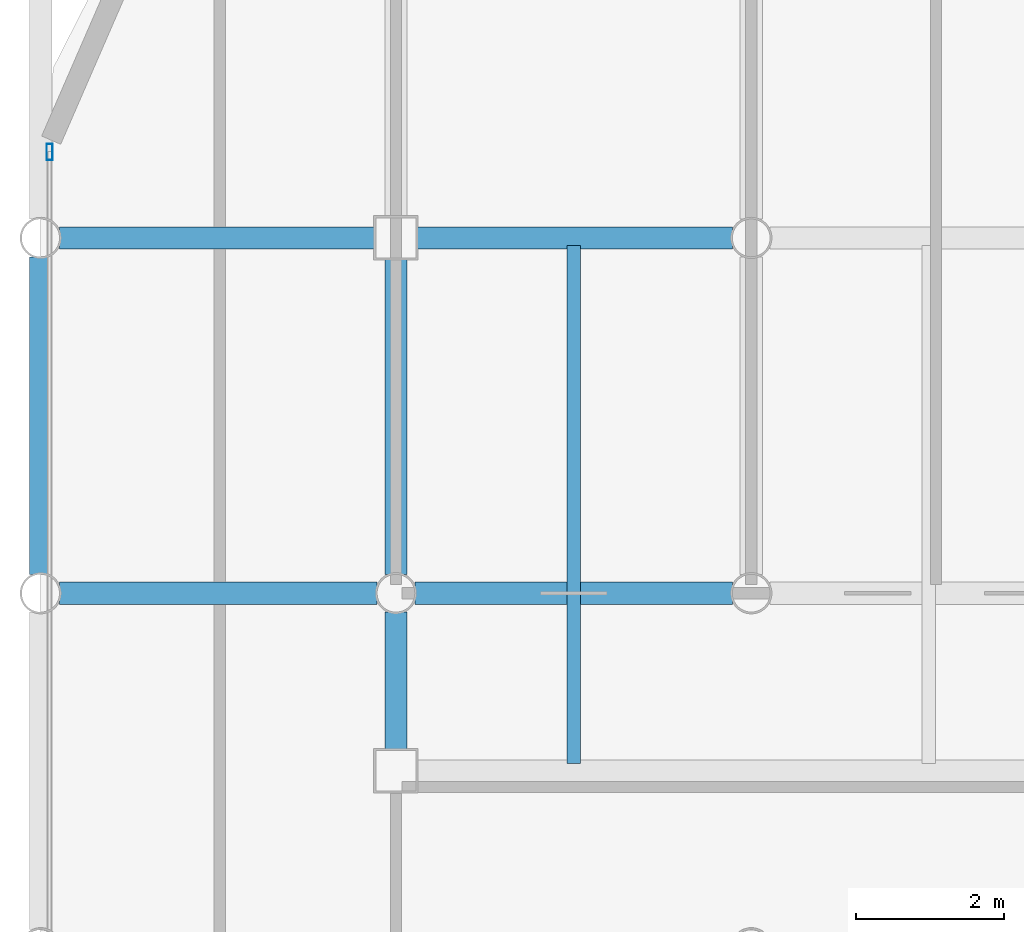
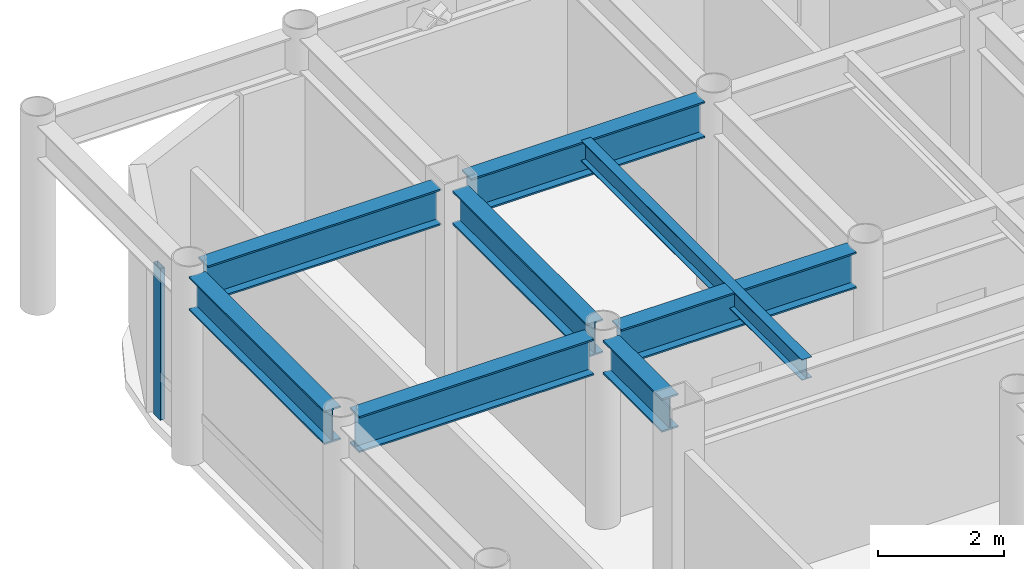
# One storey, part 11 of 23: 8 beams, 1 member, 1 element without a shape of its own.
"""IFC4 building model written with IfcOpenShell, lengths in metres."""

from ifc_helpers import new_model, si_unit, direction, frame, origin, origin_2d, place, context, subcontext, project, spatial, hollow_rectangle, i_section, extrude, material, layer, layer_set, material_profile, profile_set, type_object, element, aggregate, save


model = new_model("IFC4")

# Units and contexts
model_context = context("Model", 3, precision=1e-05, world=origin(), true_north=direction((0.0, 1.0)))
body_context = subcontext(model_context, "Body", "Model", "MODEL_VIEW")
ifc_project = project(units=[si_unit("LENGTHUNIT", "METRE"), si_unit("AREAUNIT", "SQUARE_METRE"), si_unit("VOLUMEUNIT", "CUBIC_METRE"), si_unit("PLANEANGLEUNIT", "RADIAN"), si_unit("MASSUNIT", "GRAM", prefix="KILO")], contexts=[model_context])

# Site, building, storey
site_placement = place(None, origin())
site = spatial("IfcSite", under=ifc_project, at=site_placement, CompositionType="ELEMENT")
building_placement = place(site_placement, origin())
building = spatial("IfcBuilding", under=site, at=building_placement, Name="Kallvorn Hotel Tower", CompositionType="ELEMENT")
storey_placement = place(building_placement, frame((0.0, 0.0, 195.35009765625)))
storey = spatial("IfcBuildingStorey", under=building, at=storey_placement, Name="L48", CompositionType="ELEMENT", Elevation=195.35009765625)

# Beams
ifc_material_1 = material(Name="Structural steel S355JR", Category="steel")
ifc_material_profile_1 = material_profile(ifc_material_1, i_section(OverallWidth=0.300048828125, OverallDepth=0.64990234375, WebThickness=0.01611328125, FlangeThickness=0.031005859375, at=origin_2d()), Name="HE 650 B")
ifc_profile_set_1 = profile_set([ifc_material_profile_1], Name="Structural steel S355JR")
beam_type_1 = type_object("IfcBeamType", Name="BM_HE650B", PredefinedType="BEAM", material=ifc_profile_set_1)
beam_1_placement = place(storey_placement, frame((-28.800048828125, 9.8544921875, 3.344970703125), z_axis=(0.0, 1.0, 0.0), x_axis=(-1.0, 0.0, 0.0)))
element("IfcBeam", 1, at=beam_1_placement, inside=storey, type_object=beam_type_1, Name="L49 Primary Y-Girder 79", PredefinedType="BEAM", context=body_context, shape_type="SweptSolid", body=[
    extrude(i_section(OverallWidth=0.300048828125, OverallDepth=0.64990234375, WebThickness=0.01611328125, FlangeThickness=0.031005859375, at=origin_2d()), origin(), (0.0, 0.0, 1.0), 4.291015625),
])
beam_2_placement = place(storey_placement, frame((-24.0, 7.47509765625, 3.344970703125), z_axis=(0.0, 1.0, 0.0), x_axis=(-1.0, 0.0, 0.0)))
element("IfcBeam", 2, at=beam_2_placement, inside=storey, type_object=beam_type_1, Name="L49 Primary Y-Girder 85", PredefinedType="BEAM", context=body_context, shape_type="SweptSolid", body=[
    extrude(i_section(OverallWidth=0.300048828125, OverallDepth=0.64990234375, WebThickness=0.01611328125, FlangeThickness=0.031005859375, at=origin_2d()), origin(), (0.0, 0.0, 1.0), 1.870361328125),
])
beam_3_placement = place(storey_placement, frame((-24.0, 9.8544921875, 3.344970703125), z_axis=(0.0, 1.0, 0.0), x_axis=(-1.0, 0.0, 0.0)))
element("IfcBeam", 3, at=beam_3_placement, inside=storey, type_object=beam_type_1, Name="L49 Primary Y-Girder 86", PredefinedType="BEAM", context=body_context, shape_type="SweptSolid", body=[
    extrude(i_section(OverallWidth=0.300048828125, OverallDepth=0.64990234375, WebThickness=0.01611328125, FlangeThickness=0.031005859375, at=origin_2d()), origin(), (0.0, 0.0, 1.0), 4.2705078125),
])
ifc_material_2 = material(Name="Structural steel S355JR", Category="steel")
ifc_material_profile_2 = material_profile(ifc_material_2, i_section(OverallWidth=0.300048828125, OverallDepth=0.699951171875, WebThickness=0.01708984375, FlangeThickness=0.031982421875, at=origin_2d()), Name="HE 700 B")
ifc_profile_set_2 = profile_set([ifc_material_profile_2], Name="Structural steel S355JR")
beam_type_2 = type_object("IfcBeamType", Name="BM_HE700B", PredefinedType="BEAM", material=ifc_profile_set_2)
for number, where, z_axis, x_axis, name in (
    (4, (-28.54541015625, 9.60009765625, 3.31982421875), (1.0, 0.0, 0.0), (0.0, 1.0, 0.0), "L49 Primary X-Girder 42"),
    (5, (-23.74560546875, 9.60009765625, 3.31982421875), (1.0, 0.0, 0.0), (0.0, 1.0, 0.0), "L49 Primary X-Girder 43"),
):
    element("IfcBeam", number, at=place(storey_placement, frame(where, z_axis=z_axis, x_axis=x_axis)), inside=storey, type_object=beam_type_2, Name=name, PredefinedType="BEAM", context=body_context, shape_type="SweptSolid", body=[
        extrude(i_section(OverallWidth=0.300048828125, OverallDepth=0.699951171875, WebThickness=0.01708984375, FlangeThickness=0.031982421875, at=origin_2d()), origin(), (0.0, 0.0, 1.0), 4.291015625),
    ])
for number, where, z_axis, x_axis, name in (
    (6, (-28.54541015625, 14.39990234375, 3.31982421875), (1.0, 0.0, 0.0), (0.0, 1.0, 0.0), "L49 Primary X-Girder 51"),
    (7, (-23.72509765625, 14.39990234375, 3.31982421875), (1.0, 0.0, 0.0), (0.0, 1.0, 0.0), "L49 Primary X-Girder 52"),
):
    element("IfcBeam", number, at=place(storey_placement, frame(where, z_axis=z_axis, x_axis=x_axis)), inside=storey, type_object=beam_type_2, Name=name, PredefinedType="BEAM", context=body_context, shape_type="SweptSolid", body=[
        extrude(i_section(OverallWidth=0.300048828125, OverallDepth=0.699951171875, WebThickness=0.01708984375, FlangeThickness=0.031982421875, at=origin_2d()), origin(), (0.0, 0.0, 1.0), 4.2705078125),
    ])
ifc_material_3 = material(Name="Structural steel S355JR", Category="steel")
ifc_material_profile_3 = material_profile(ifc_material_3, i_section(OverallWidth=0.179931640625, OverallDepth=0.39990234375, WebThickness=0.008544921875, FlangeThickness=0.013427734375, at=origin_2d()), Name="IPE 400")
ifc_profile_set_3 = profile_set([ifc_material_profile_3], Name="Structural steel S355JR")
beam_type_3 = type_object("IfcBeamType", Name="BM_IPE400", PredefinedType="JOIST", material=ifc_profile_set_3)
beam_4_placement = place(storey_placement, frame((-21.60009765625, 7.300048828125, 3.469970703125), z_axis=(0.0, 1.0, 0.0), x_axis=(-1.0, 0.0, 0.0)))
element("IfcBeam", 8, at=beam_4_placement, inside=storey, type_object=beam_type_3, Name="L49 Secondary Composite Joist 193", PredefinedType="JOIST", context=body_context, shape_type="SweptSolid", body=[
    extrude(i_section(OverallWidth=0.179931640625, OverallDepth=0.39990234375, WebThickness=0.008544921875, FlangeThickness=0.013427734375, at=origin_2d()), origin(), (0.0, 0.0, 1.0), 7.0),
])

# Curtain wall, member
ifc_material_4 = material(Name="Thermally broken black-anodised aluminium AA 6063-T6", Category="aluminium")
ifc_layer = layer(ifc_material_4, 0.22998046875)
ifc_layer_set = layer_set([ifc_layer], Name="CW_SYS_5_HOTEL_HIGH")
curtain_wall_type = type_object("IfcCurtainWallType", Name="CW_SYS_5_HOTEL_HIGH", PredefinedType="USERDEFINED", material=ifc_layer_set)
curtain_wall_placement = place(storey_placement, origin())
curtain_wall = element("IfcCurtainWall", 9, at=curtain_wall_placement, inside=storey, type_object=curtain_wall_type, Name="L48 Dark-Glass Curtain Wall CW-L48-WN", ObjectType="UNITISED CURTAIN WALL", PredefinedType="USERDEFINED")
ifc_material_5 = material(Name="Thermally broken black-anodised aluminium AA 6063-T6", Category="aluminium")
ifc_material_profile_4 = material_profile(ifc_material_5, hollow_rectangle(XDim=0.080078125, YDim=0.219970703125, WallThickness=0.0048828125, at=origin_2d()), Name="MUL 220x80")
ifc_profile_set_4 = profile_set([ifc_material_profile_4], Name="Thermally broken black-anodised aluminium AA 6063-T6")
member_type = type_object("IfcMemberType", Name="CW_MULLION_220x80", PredefinedType="MULLION", material=ifc_profile_set_4)
member_placement = place(storey_placement, frame((-28.679931640625, 15.56005859375, 0.02001953125), z_axis=(0.0, 0.0, 1.0), x_axis=(1.0, 0.0, 0.0)))
member = element("IfcMember", 10, at=member_placement, type_object=member_type, Name="CW-L48-WN Mullion 01", PredefinedType="MULLION", context=body_context, shape_type="SweptSolid", body=[
    extrude(hollow_rectangle(XDim=0.080078125, YDim=0.219970703125, WallThickness=0.0048828125, at=origin_2d()), origin(), (0.0, 0.0, 1.0), 2.929931640625),
])
aggregate(curtain_wall, [member])

save(model, "model.ifc")
